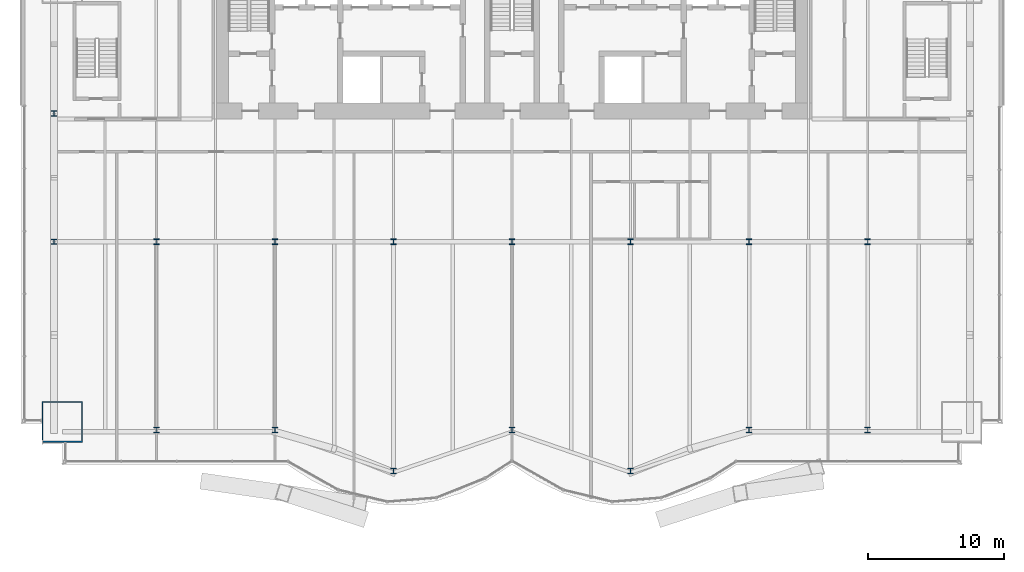
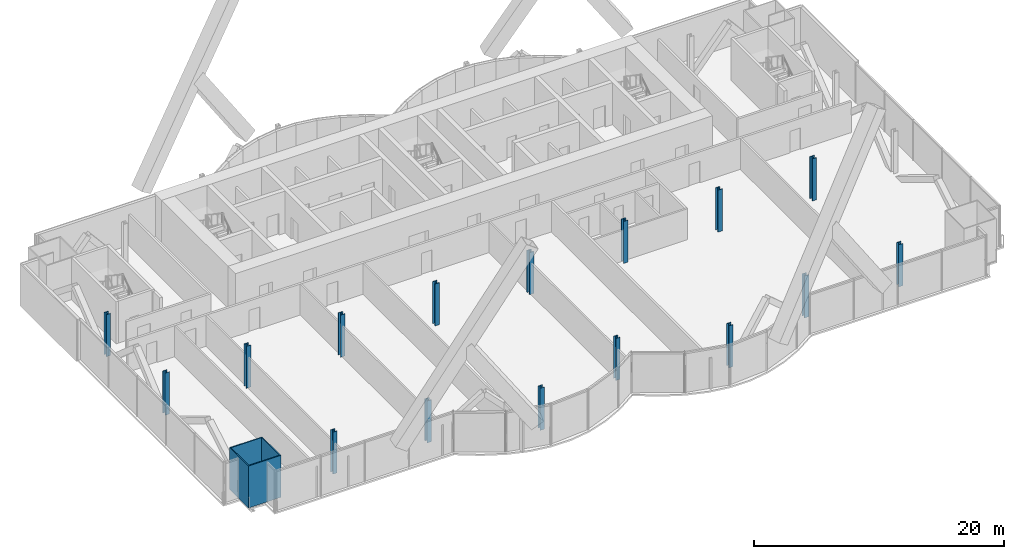
# One storey, part 1 of 22: 17 columns.
"""IFC4 building model written with IfcOpenShell, lengths in metres."""

import ifcopenshell
import ifcopenshell.guid

model = None  # the IFC model being written
_history = None  # IfcOwnerHistory: only IFC2X3 demands one
_inside = {}  # id of a spatial element -> (the spatial element, [elements in it])
_under = {}  # id of a project, library or spatial element -> (it, [spatial elements below it])
_declared = {}  # id of a project -> (the project, [libraries it declares])
_typed = {}  # id of a type object -> (the type object, [elements of that type])
_made_of = {}  # id of a material, layer set ... -> (it, [elements and type objects made of it])


def new_model(schema):
    """Start an empty IFC model of exactly this schema.

    Asked for "IFC4X3", IfcOpenShell would pick the latest addendum, in which some entities
    have other attributes; the version numbers below select the first issue.
    IFC2X3 requires an IfcOwnerHistory on every rooted entity: one is made here for all.
    """
    global model, _history
    if schema == "IFC4X3":
        model = ifcopenshell.file(schema_version=(4, 3, 0, 0))
    else:
        model = ifcopenshell.file(schema=schema)
    _inside.clear()
    _under.clear()
    _declared.clear()
    _typed.clear()
    _made_of.clear()
    _history = None
    if model.schema == "IFC2X3":
        org = make("IfcOrganization", Name="unknown")
        user = make(
            "IfcPersonAndOrganization",
            ThePerson=make("IfcPerson", FamilyName="unknown"),
            TheOrganization=org,
        )
        app = make(
            "IfcApplication",
            ApplicationDeveloper=org,
            Version="unknown",
            ApplicationFullName="unknown",
            ApplicationIdentifier="unknown",
        )
        _history = make(
            "IfcOwnerHistory",
            OwningUser=user,
            OwningApplication=app,
            ChangeAction="ADDED",
            CreationDate=0,
        )
    return model


def make(cls, **values):
    """One entity of the class cls with the attributes given. An attribute that is None is left unset."""
    return model.create_entity(
        cls, **{name: value for name, value in values.items() if value is not None}
    )


def rooted(cls, **values):
    """An entity with a GlobalId (a new one), such as an element, a storey or a relation."""
    return make(cls, GlobalId=ifcopenshell.guid.new(), OwnerHistory=_history, **values)


def si_unit(unit_type, name, prefix=None):
    """IfcSIUnit, for example si_unit("LENGTHUNIT", "METRE", prefix="MILLI")."""
    return make("IfcSIUnit", UnitType=unit_type, Prefix=prefix, Name=name)


def assignment(units):
    """IfcUnitAssignment: the units of a project."""
    return None if units is None else make("IfcUnitAssignment", Units=units)


def point(xyz):
    """IfcCartesianPoint."""
    return None if xyz is None else make("IfcCartesianPoint", Coordinates=xyz)


def direction(xyz):
    """IfcDirection."""
    return None if xyz is None else make("IfcDirection", DirectionRatios=xyz)


def frame(location, z_axis=None, x_axis=None):
    """IfcAxis2Placement3D, a coordinate frame: its origin and axes. An axis left out is left unset."""
    return make(
        "IfcAxis2Placement3D",
        Location=point(location),
        Axis=direction(z_axis),
        RefDirection=direction(x_axis),
    )


def frame_2d(location, x_axis=None):
    """IfcAxis2Placement2D, a coordinate frame in the plane: its origin and x axis."""
    return make(
        "IfcAxis2Placement2D", Location=point(location), RefDirection=direction(x_axis)
    )


def origin():
    """The frame at (0, 0, 0) with its axes left unset."""
    return frame((0.0, 0.0, 0.0))


def origin_2d():
    """The frame at (0, 0) in the plane with its x axis left unset."""
    return frame_2d((0.0, 0.0))


def place(relative_to, where):
    """IfcLocalPlacement: puts the frame where relative to a parent placement (None: the world)."""
    return make(
        "IfcLocalPlacement", PlacementRelTo=relative_to, RelativePlacement=where
    )


def context(
    kind, dimensions, precision=None, world=None, true_north=None, identifier=None
):
    """IfcGeometricRepresentationContext, for example the 3D "Model" context."""
    return make(
        "IfcGeometricRepresentationContext",
        ContextIdentifier=identifier,
        ContextType=kind,
        CoordinateSpaceDimension=dimensions,
        Precision=precision,
        WorldCoordinateSystem=world,
        TrueNorth=true_north,
    )


def subcontext(parent, identifier, kind, view, scale=None):
    """IfcGeometricRepresentationSubContext, for example "Body" below "Model"."""
    return make(
        "IfcGeometricRepresentationSubContext",
        ContextIdentifier=identifier,
        ContextType=kind,
        ParentContext=parent,
        TargetScale=scale,
        TargetView=view,
    )


def project(units=None, contexts=None):
    """IfcProject with its units and contexts."""
    return rooted(
        "IfcProject",
        Name="project",
        RepresentationContexts=contexts,
        UnitsInContext=assignment(units),
    )


def spatial(cls, under=None, at=None, **own):
    """A site, building, storey or space (cls), placed at a placement, below another one or the project."""
    s = rooted(cls, ObjectPlacement=at, **own)
    if under is not None:
        _under.setdefault(under.id(), (under, []))[1].append(s)
    return s


def profile(cls, at=None, kind="AREA", **sizes):
    """A parametric profile (cls). Its sizes go by their IFC names, for example OverallWidth=200.0."""
    return make(cls, ProfileType=kind, Position=at, **sizes)


def hollow_rectangle(**sizes):
    """IfcRectangleHollowProfileDef."""
    return profile("IfcRectangleHollowProfileDef", **sizes)


def i_section(**sizes):
    """IfcIShapeProfileDef."""
    return profile("IfcIShapeProfileDef", **sizes)


def extrude(swept, where, along, depth):
    """IfcExtrudedAreaSolid: the profile swept, set in the frame where, extruded along a direction by depth."""
    return make(
        "IfcExtrudedAreaSolid",
        SweptArea=swept,
        Position=where,
        ExtrudedDirection=direction(along),
        Depth=depth,
    )


def shape(context_of_items, identifier, shape_type, items):
    """IfcShapeRepresentation: the items that make up one representation, for example the "Body"."""
    return make(
        "IfcShapeRepresentation",
        ContextOfItems=context_of_items,
        RepresentationIdentifier=identifier,
        RepresentationType=shape_type,
        Items=items,
    )


def material(Name=None, Category=None):
    """IfcMaterial."""
    return make("IfcMaterial", Name=Name, Category=Category)


def material_profile(
    of_material, cross_section, Name=None, Category=None, Priority=None
):
    """IfcMaterialProfile: a cross section and its material."""
    return make(
        "IfcMaterialProfile",
        Name=Name,
        Material=of_material,
        Profile=cross_section,
        Priority=Priority,
        Category=Category,
    )


def profile_set(profiles, Name=None, composite=None):
    """IfcMaterialProfileSet."""
    return make(
        "IfcMaterialProfileSet",
        Name=Name,
        MaterialProfiles=profiles,
        CompositeProfile=composite,
    )


def made_of(thing, what):
    """Note that an element or type object is made of a material, layer set ...; save() writes the relation."""
    if what is not None:
        _made_of.setdefault(what.id(), (what, []))[1].append(thing)
    return thing


def type_object(cls, material=None, **own):
    """A type object (cls), such as IfcWallType, which elements share."""
    return made_of(rooted(cls, **own), material)


def element(
    cls,
    number,
    at=None,
    inside=None,
    cuts=None,
    type_object=None,
    material=None,
    context=None,
    identifier="Body",
    shape_type=None,
    held_by="IfcProductDefinitionShape",
    body=None,
    shapes=None,
    **own,
):
    """One element of the class cls, such as IfcWall. Its Tag is "e" and its number.

    at: its placement. inside: the storey or other place that contains it. cuts: it is an
    opening in that element (IfcRelVoidsElement). A single representation is given by context,
    identifier, shape_type and body (its items); several are given by shapes. held_by: the class
    of the entity that holds the representations. save() writes the other relations.
    """
    e = rooted(cls, Tag="e%d" % number, ObjectPlacement=at, **own)
    if body is not None:
        shapes = [shape(context, identifier, shape_type, body)]
    if shapes is not None:
        e.Representation = make(held_by, Representations=shapes)
    if inside is not None:
        _inside.setdefault(inside.id(), (inside, []))[1].append(e)
    if cuts is not None:
        rooted(
            "IfcRelVoidsElement", RelatingBuildingElement=cuts, RelatedOpeningElement=e
        )
    if type_object is not None:
        _typed.setdefault(type_object.id(), (type_object, []))[1].append(e)
    return made_of(e, material)


def aggregate(whole, parts):
    """IfcRelAggregates: a whole, such as a stair, and the parts it consists of."""
    return rooted("IfcRelAggregates", RelatingObject=whole, RelatedObjects=parts)


def save(model, path):
    """Write the relations noted so far, then the file.

    IfcRelAggregates (storeys below a building ...), IfcRelContainedInSpatialStructure (elements
    in a storey), IfcRelDefinesByType, IfcRelAssociatesMaterial and IfcRelDeclares: one each for
    every whole, place, type object, material and project.
    """
    for whole, parts in _under.values():
        aggregate(whole, parts)
    for where, things in _inside.values():
        rooted(
            "IfcRelContainedInSpatialStructure",
            RelatedElements=things,
            RelatingStructure=where,
        )
    for kind, things in _typed.values():
        rooted("IfcRelDefinesByType", RelatedObjects=things, RelatingType=kind)
    for what, things in _made_of.values():
        rooted("IfcRelAssociatesMaterial", RelatedObjects=things, RelatingMaterial=what)
    for by, libraries in _declared.values():
        rooted("IfcRelDeclares", RelatingContext=by, RelatedDefinitions=libraries)
    model.write(path)


model = new_model("IFC4")

# Units and contexts
model_context = context("Model", 3, precision=1e-05, world=origin(), true_north=direction((0.0, 1.0)))
body_context = subcontext(model_context, "Body", "Model", "MODEL_VIEW")
ifc_project = project(units=[si_unit("LENGTHUNIT", "METRE"), si_unit("AREAUNIT", "SQUARE_METRE"), si_unit("VOLUMEUNIT", "CUBIC_METRE"), si_unit("PLANEANGLEUNIT", "RADIAN"), si_unit("MASSUNIT", "GRAM", prefix="KILO")], contexts=[model_context])

# Site, building, storey
site_placement = place(None, origin())
site = spatial("IfcSite", under=ifc_project, at=site_placement, CompositionType="ELEMENT")
building_placement = place(site_placement, origin())
building = spatial("IfcBuilding", under=site, at=building_placement, Name="Bicima Exchange Tower", CompositionType="ELEMENT")
storey_placement = place(building_placement, frame((0.0, 0.0, 102.199951171875)))
storey = spatial("IfcBuildingStorey", under=building, at=storey_placement, Name="L21", CompositionType="ELEMENT", Elevation=102.199951171875)

# Columns
ifc_material_1 = material(Name="Steel ASTM A992 Gr 50", Category="steel")
ifc_material_profile_1 = material_profile(ifc_material_1, i_section(OverallWidth=0.406494140625, OverallDepth=0.41650390625, WebThickness=0.030029296875, FlangeThickness=0.048095703125, at=origin_2d()))
ifc_profile_set_1 = profile_set([ifc_material_profile_1], Name="Steel ASTM A992 Gr 50")
column_type_1 = type_object("IfcColumnType", Name="Interior column W14x257", PredefinedType="COLUMN", material=ifc_profile_set_1)
for number, where, z_axis, x_axis, name in (
    (1, (-26.10009765625, -22.0, 0.0), (0.0, 0.0, 1.0), (1.0, 0.0, 0.0), "Interior column interior-26.1i"),
    (2, (-17.39990234375, -22.0, 0.0), (0.0, 0.0, 1.0), (1.0, 0.0, 0.0), "Interior column interior-17.4i"),
    (3, (-8.699951171875, -22.0, 0.0), (0.0, 0.0, 1.0), (1.0, 0.0, 0.0), "Interior column interior-8.7i"),
    (4, (0.0, -22.0, 0.0), (0.0, 0.0, 1.0), (1.0, 0.0, 0.0), "Interior column interior+0.0i"),
    (5, (8.699951171875, -22.0, 0.0), (0.0, 0.0, 1.0), (1.0, 0.0, 0.0), "Interior column interior+8.7i"),
    (6, (17.39990234375, -22.0, 0.0), (0.0, 0.0, 1.0), (1.0, 0.0, 0.0), "Interior column interior+17.4i"),
    (7, (26.10009765625, -22.0, 0.0), (0.0, 0.0, 1.0), (1.0, 0.0, 0.0), "Interior column interior+26.1i"),
):
    element("IfcColumn", number, at=place(storey_placement, frame(where, z_axis=z_axis, x_axis=x_axis)), inside=storey, type_object=column_type_1, Name=name, PredefinedType="COLUMN", context=body_context, shape_type="SweptSolid", body=[
        extrude(i_section(OverallWidth=0.406494140625, OverallDepth=0.41650390625, WebThickness=0.030029296875, FlangeThickness=0.048095703125, at=origin_2d()), origin(), (0.0, 0.0, 1.0), 4.10009765625),
    ])
ifc_material_2 = material(Name="Steel ASTM A572 Gr 50", Category="steel")
ifc_material_profile_2 = material_profile(ifc_material_2, hollow_rectangle(XDim=3.0, YDim=3.0, WallThickness=0.090087890625, at=origin_2d()))
ifc_profile_set_2 = profile_set([ifc_material_profile_2], Name="Steel ASTM A572 Gr 50")
column_type_2 = type_object("IfcColumnType", Name="Mega column BOX 3000x3000x90", PredefinedType="COLUMN", material=ifc_profile_set_2)
column_placement = place(storey_placement, frame((-33.0, -35.218017578125, 0.0), z_axis=(0.0, 0.0, 1.0), x_axis=(1.0, 0.0, 0.0)))
element("IfcColumn", 8, at=column_placement, inside=storey, type_object=column_type_2, Name="Mega column mega-33.0f", PredefinedType="COLUMN", context=body_context, shape_type="SweptSolid", body=[
    extrude(hollow_rectangle(XDim=3.0, YDim=3.0, WallThickness=0.090087890625, at=origin_2d()), origin(), (0.0, 0.0, 1.0), 4.10009765625),
])
ifc_material_profile_3 = material_profile(ifc_material_1, i_section(OverallWidth=0.398681640625, OverallDepth=0.393798828125, WebThickness=0.022705078125, FlangeThickness=0.03662109375, at=origin_2d()))
ifc_profile_set_3 = profile_set([ifc_material_profile_3], Name="Steel ASTM A992 Gr 50")
column_type_3 = type_object("IfcColumnType", Name="Perimeter column W14x193", PredefinedType="COLUMN", material=ifc_profile_set_3)
for number, where, z_axis, x_axis, name in (
    (9, (-26.10009765625, -35.818115234375, 0.0), (0.0, 0.0, 1.0), (1.0, 0.0, 0.0), "Perimeter column grav-26.1f"),
    (10, (-17.39990234375, -35.818115234375, 0.0), (0.0, 0.0, 1.0), (1.0, 0.0, 0.0), "Perimeter column grav-17.4f"),
    (11, (-8.699951171875, -38.80908203125, 0.0), (0.0, 0.0, 1.0), (1.0, 0.0, 0.0), "Perimeter column grav-8.7f"),
    (12, (0.0, -35.818115234375, 0.0), (0.0, 0.0, 1.0), (1.0, 0.0, 0.0), "Perimeter column grav-0.0f"),
    (13, (8.699951171875, -38.80908203125, 0.0), (0.0, 0.0, 1.0), (1.0, 0.0, 0.0), "Perimeter column grav+8.7f"),
    (14, (17.39990234375, -35.818115234375, 0.0), (0.0, 0.0, 1.0), (1.0, 0.0, 0.0), "Perimeter column grav+17.4f"),
    (15, (26.10009765625, -35.818115234375, 0.0), (0.0, 0.0, 1.0), (1.0, 0.0, 0.0), "Perimeter column grav+26.1f"),
    (16, (-33.60009765625, -12.60009765625, 0.0), (0.0, 0.0, 1.0), (1.0, 0.0, 0.0), "End column end-33.6e"),
    (17, (-33.60009765625, -22.0, 0.0), (0.0, 0.0, 1.0), (1.0, 0.0, 0.0), "End column end-33.6e"),
):
    element("IfcColumn", number, at=place(storey_placement, frame(where, z_axis=z_axis, x_axis=x_axis)), inside=storey, type_object=column_type_3, Name=name, PredefinedType="COLUMN", context=body_context, shape_type="SweptSolid", body=[
        extrude(i_section(OverallWidth=0.398681640625, OverallDepth=0.393798828125, WebThickness=0.022705078125, FlangeThickness=0.03662109375, at=origin_2d()), origin(), (0.0, 0.0, 1.0), 4.10009765625),
    ])

save(model, "model.ifc")
